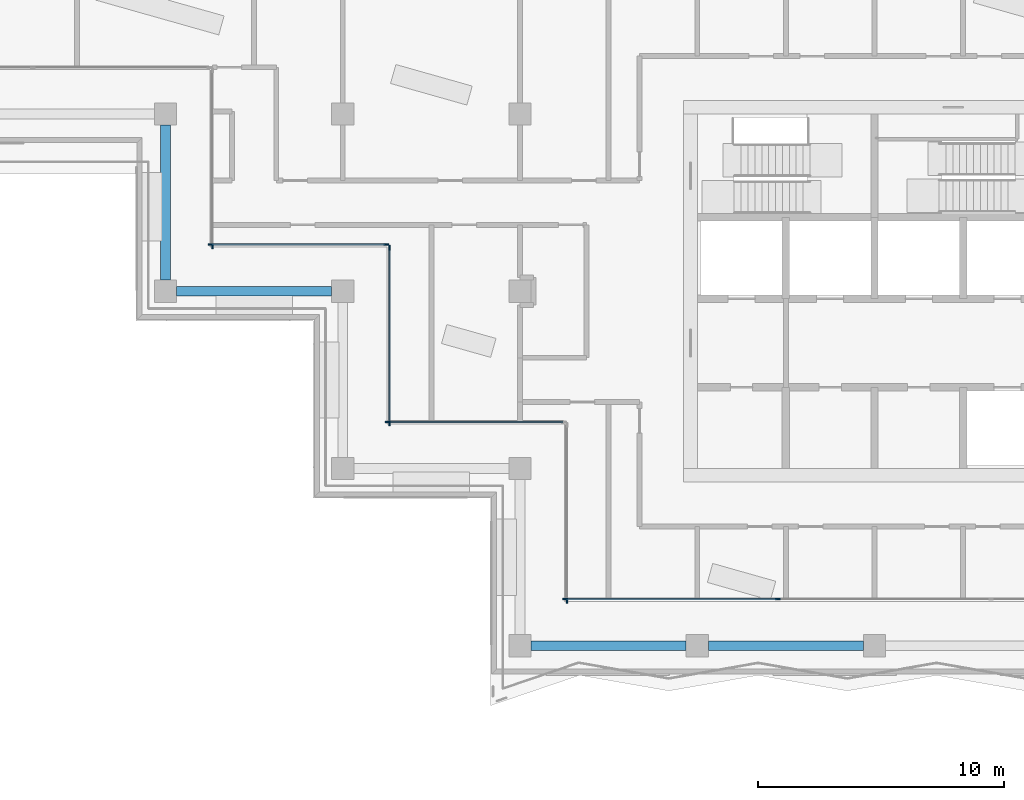
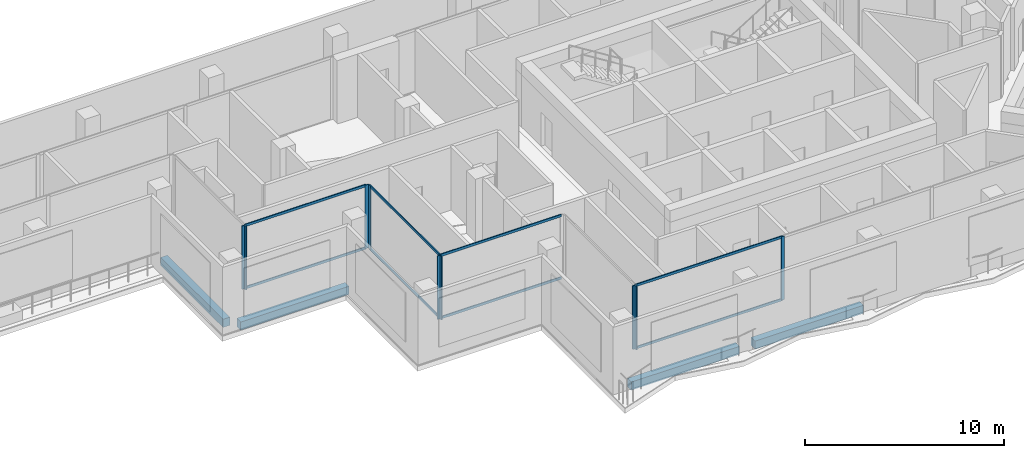
# One storey, part 2 of 19: 17 members, 4 beams, 6 elements without a shape of their own.
"""IFC4 building model written with IfcOpenShell, lengths in metres."""

from ifc_helpers import new_model, si_unit, direction, frame, origin, origin_2d, place, context, subcontext, project, spatial, rectangle, extrude, material, material_profile, profile_set, type_object, element, aggregate, save


model = new_model("IFC4")

# Units and contexts
model_context = context("Model", 3, precision=1e-05, world=origin(), true_north=direction((0.0, 1.0)))
body_context = subcontext(model_context, "Body", "Model", "MODEL_VIEW")
ifc_project = project(units=[si_unit("LENGTHUNIT", "METRE"), si_unit("AREAUNIT", "SQUARE_METRE"), si_unit("VOLUMEUNIT", "CUBIC_METRE"), si_unit("PLANEANGLEUNIT", "RADIAN"), si_unit("MASSUNIT", "GRAM", prefix="KILO")], contexts=[model_context])

# Site, building, storey
site_placement = place(None, origin())
site = spatial("IfcSite", under=ifc_project, at=site_placement, CompositionType="ELEMENT")
building_placement = place(site_placement, origin())
building = spatial("IfcBuilding", under=site, at=building_placement, Name="Windrow Commons", CompositionType="ELEMENT")
storey_placement = place(building_placement, frame((0.0, 0.0, 176.2)))
storey = spatial("IfcBuildingStorey", under=building, at=storey_placement, Name="L48", CompositionType="ELEMENT", Elevation=176.2)

# Curtain wall, member
ifc_material_1 = material(Name="Clear laminated glass in Aluminium 6063-T6 anodised frame", Category="aluminium")
curtain_wall_type = type_object("IfcCurtainWallType", Name="Curtain wall CW2H sky lounge upper", PredefinedType="USERDEFINED", material=ifc_material_1)
placement = place(storey_placement, origin())
curtain_wall_1 = element("IfcCurtainWall", 1, at=placement, inside=storey, type_object=curtain_wall_type, Name="Curtain wall CW2H L48 7", ObjectType="UNITISED", PredefinedType="USERDEFINED")
ifc_material_2 = material(Name="Aluminium 6063-T6", Category="aluminium")
ifc_material_profile_1 = material_profile(ifc_material_2, rectangle(XDim=0.06, YDim=0.2, at=origin_2d()))
ifc_profile_set_1 = profile_set([ifc_material_profile_1], Name="Aluminium 6063-T6")
member_type_1 = type_object("IfcMemberType", Name="CW2H mullion 60x200", PredefinedType="MULLION", material=ifc_profile_set_1)
member_1_placement = place(storey_placement, frame((37.9, 59.43, 0.0), z_axis=(0.0, 0.0, 1.0), x_axis=(1.0, 0.0, 0.0)))
member_1 = element("IfcMember", 2, at=member_1_placement, type_object=member_type_1, Name="CW2H mullion 2", PredefinedType="MULLION", context=body_context, shape_type="SweptSolid", body=[
    extrude(rectangle(XDim=0.06, YDim=0.2, at=origin_2d()), origin(), (0.0, 0.0, 1.0), 3.9),
])
aggregate(curtain_wall_1, [member_1])

# Curtain wall, members
curtain_wall_2 = element("IfcCurtainWall", 3, at=placement, inside=storey, type_object=curtain_wall_type, Name="Curtain wall CW2H L48 8", ObjectType="UNITISED", PredefinedType="USERDEFINED")
member_2_placement = place(storey_placement, frame((37.83, 59.5, 0.0), z_axis=(0.0, 0.0, 1.0), x_axis=(0.0, 1.0, 0.0)))
member_2 = element("IfcMember", 4, at=member_2_placement, type_object=member_type_1, Name="CW2H mullion 1", PredefinedType="MULLION", context=body_context, shape_type="SweptSolid", body=[
    extrude(rectangle(XDim=0.06, YDim=0.2, at=origin_2d()), origin(), (0.0, 0.0, 1.0), 3.9),
])
member_3_placement = place(storey_placement, frame((44.97, 59.5, 0.0), z_axis=(0.0, 0.0, 1.0), x_axis=(0.0, 1.0, 0.0)))
member_3 = element("IfcMember", 5, at=member_3_placement, type_object=member_type_1, Name="CW2H mullion 2", PredefinedType="MULLION", context=body_context, shape_type="SweptSolid", body=[
    extrude(rectangle(XDim=0.06, YDim=0.2, at=origin_2d()), origin(), (0.0, 0.0, 1.0), 3.9),
])

curtain_wall_3 = element("IfcCurtainWall", 6, at=placement, inside=storey, type_object=curtain_wall_type, Name="Curtain wall CW2H L48 9", ObjectType="UNITISED", PredefinedType="USERDEFINED")
member_4_placement = place(storey_placement, frame((45.1, 59.37, 0.0), z_axis=(0.0, 0.0, 1.0), x_axis=(1.0, 0.0, 0.0)))
member_4 = element("IfcMember", 7, at=member_4_placement, type_object=member_type_1, Name="CW2H mullion 1", PredefinedType="MULLION", context=body_context, shape_type="SweptSolid", body=[
    extrude(rectangle(XDim=0.06, YDim=0.2, at=origin_2d()), origin(), (0.0, 0.0, 1.0), 3.9),
])
member_5_placement = place(storey_placement, frame((45.1, 52.23, 0.0), z_axis=(0.0, 0.0, 1.0), x_axis=(1.0, 0.0, 0.0)))
member_5 = element("IfcMember", 8, at=member_5_placement, type_object=member_type_1, Name="CW2H mullion 2", PredefinedType="MULLION", context=body_context, shape_type="SweptSolid", body=[
    extrude(rectangle(XDim=0.06, YDim=0.2, at=origin_2d()), origin(), (0.0, 0.0, 1.0), 3.9),
])

# Curtain wall, member
curtain_wall_4 = element("IfcCurtainWall", 9, at=placement, inside=storey, type_object=curtain_wall_type, Name="Curtain wall CW2H L48 10", ObjectType="UNITISED", PredefinedType="USERDEFINED")
member_6_placement = place(storey_placement, frame((45.03, 52.3, 0.0), z_axis=(0.0, 0.0, 1.0), x_axis=(0.0, 1.0, 0.0)))
member_6 = element("IfcMember", 10, at=member_6_placement, type_object=member_type_1, Name="CW2H mullion 1", PredefinedType="MULLION", context=body_context, shape_type="SweptSolid", body=[
    extrude(rectangle(XDim=0.06, YDim=0.2, at=origin_2d()), origin(), (0.0, 0.0, 1.0), 3.9),
])

curtain_wall_5 = element("IfcCurtainWall", 11, at=placement, inside=storey, type_object=curtain_wall_type, Name="Curtain wall CW2H L48 11", ObjectType="UNITISED", PredefinedType="USERDEFINED")
member_7_placement = place(storey_placement, frame((52.3, 45.03, 0.0), z_axis=(0.0, 0.0, 1.0), x_axis=(1.0, 0.0, 0.0)))
member_7 = element("IfcMember", 12, at=member_7_placement, type_object=member_type_1, Name="CW2H mullion 2", PredefinedType="MULLION", context=body_context, shape_type="SweptSolid", body=[
    extrude(rectangle(XDim=0.06, YDim=0.2, at=origin_2d()), origin(), (0.0, 0.0, 1.0), 3.9),
])
aggregate(curtain_wall_5, [member_7])

# Curtain wall, members
curtain_wall_6 = element("IfcCurtainWall", 13, at=placement, inside=storey, type_object=curtain_wall_type, Name="Curtain wall CW2H L48 12", ObjectType="UNITISED", PredefinedType="USERDEFINED")
member_8_placement = place(storey_placement, frame((52.23, 45.1, 0.0), z_axis=(0.0, 0.0, 1.0), x_axis=(0.0, 1.0, 0.0)))
member_8 = element("IfcMember", 14, at=member_8_placement, type_object=member_type_1, Name="CW2H mullion 1", PredefinedType="MULLION", context=body_context, shape_type="SweptSolid", body=[
    extrude(rectangle(XDim=0.06, YDim=0.2, at=origin_2d()), origin(), (0.0, 0.0, 1.0), 3.9),
])
member_9_placement = place(storey_placement, frame((60.8662, 45.1, 0.0), z_axis=(0.0, 0.0, 1.0), x_axis=(0.0, 1.0, 0.0)))
member_9 = element("IfcMember", 15, at=member_9_placement, type_object=member_type_1, Name="CW2H mullion 2", PredefinedType="MULLION", context=body_context, shape_type="SweptSolid", body=[
    extrude(rectangle(XDim=0.06, YDim=0.2, at=origin_2d()), origin(), (0.0, 0.0, 1.0), 3.9),
])

# Member
ifc_material_3 = material(Name="Aluminium 6063-T6", Category="aluminium")
ifc_material_profile_2 = material_profile(ifc_material_3, rectangle(XDim=0.06, YDim=0.15, at=origin_2d()))
ifc_profile_set_2 = profile_set([ifc_material_profile_2], Name="Aluminium 6063-T6")
member_type_2 = type_object("IfcMemberType", Name="CW2H transom 60x150", PredefinedType="USERDEFINED", material=ifc_profile_set_2)
member_10_placement = place(storey_placement, frame((37.86, 59.5, 0.03), z_axis=(1.0, 0.0, 0.0), x_axis=(0.0, 1.0, 0.0)))
member_10 = element("IfcMember", 16, at=member_10_placement, type_object=member_type_2, Name="CW2H transom 1.1", ObjectType="TRANSOM", PredefinedType="USERDEFINED", context=body_context, shape_type="SweptSolid", body=[
    extrude(rectangle(XDim=0.06, YDim=0.15, at=origin_2d()), origin(), (0.0, 0.0, 1.0), 7.08),
])

member_11_placement = place(storey_placement, frame((37.86, 59.5, 3.87), z_axis=(1.0, 0.0, 0.0), x_axis=(0.0, 1.0, 0.0)))
member_11 = element("IfcMember", 17, at=member_11_placement, type_object=member_type_2, Name="CW2H transom 1.2", ObjectType="TRANSOM", PredefinedType="USERDEFINED", context=body_context, shape_type="SweptSolid", body=[
    extrude(rectangle(XDim=0.06, YDim=0.15, at=origin_2d()), origin(), (0.0, 0.0, 1.0), 7.08),
])

aggregate(curtain_wall_2, [member_2, member_3, member_10, member_11])

member_12_placement = place(storey_placement, frame((45.1, 59.34, 0.03), z_axis=(0.0, -1.0, 0.0), x_axis=(1.0, 0.0, 0.0)))
member_12 = element("IfcMember", 18, at=member_12_placement, type_object=member_type_2, Name="CW2H transom 1.1", ObjectType="TRANSOM", PredefinedType="USERDEFINED", context=body_context, shape_type="SweptSolid", body=[
    extrude(rectangle(XDim=0.06, YDim=0.15, at=origin_2d()), origin(), (0.0, 0.0, 1.0), 7.08),
])

member_13_placement = place(storey_placement, frame((45.1, 59.34, 3.87), z_axis=(0.0, -1.0, 0.0), x_axis=(1.0, 0.0, 0.0)))
member_13 = element("IfcMember", 19, at=member_13_placement, type_object=member_type_2, Name="CW2H transom 1.2", ObjectType="TRANSOM", PredefinedType="USERDEFINED", context=body_context, shape_type="SweptSolid", body=[
    extrude(rectangle(XDim=0.06, YDim=0.15, at=origin_2d()), origin(), (0.0, 0.0, 1.0), 7.08),
])

aggregate(curtain_wall_3, [member_4, member_5, member_12, member_13])

member_14_placement = place(storey_placement, frame((45.06, 52.3, 0.03), z_axis=(1.0, 0.0, 0.0), x_axis=(0.0, 1.0, 0.0)))
member_14 = element("IfcMember", 20, at=member_14_placement, type_object=member_type_2, Name="CW2H transom 1.1", ObjectType="TRANSOM", PredefinedType="USERDEFINED", context=body_context, shape_type="SweptSolid", body=[
    extrude(rectangle(XDim=0.06, YDim=0.15, at=origin_2d()), origin(), (0.0, 0.0, 1.0), 7.08),
])

member_15_placement = place(storey_placement, frame((45.06, 52.3, 3.87), z_axis=(1.0, 0.0, 0.0), x_axis=(0.0, 1.0, 0.0)))
member_15 = element("IfcMember", 21, at=member_15_placement, type_object=member_type_2, Name="CW2H transom 1.2", ObjectType="TRANSOM", PredefinedType="USERDEFINED", context=body_context, shape_type="SweptSolid", body=[
    extrude(rectangle(XDim=0.06, YDim=0.15, at=origin_2d()), origin(), (0.0, 0.0, 1.0), 7.08),
])

aggregate(curtain_wall_4, [member_6, member_14, member_15])

member_16_placement = place(storey_placement, frame((52.26, 45.1, 0.03), z_axis=(1.0, 0.0, 0.0), x_axis=(0.0, 1.0, 0.0)))
member_16 = element("IfcMember", 22, at=member_16_placement, type_object=member_type_2, Name="CW2H transom 1.1", ObjectType="TRANSOM", PredefinedType="USERDEFINED", context=body_context, shape_type="SweptSolid", body=[
    extrude(rectangle(XDim=0.06, YDim=0.15, at=origin_2d()), origin(), (0.0, 0.0, 1.0), 8.5762),
])

member_17_placement = place(storey_placement, frame((52.26, 45.1, 3.87), z_axis=(1.0, 0.0, 0.0), x_axis=(0.0, 1.0, 0.0)))
member_17 = element("IfcMember", 23, at=member_17_placement, type_object=member_type_2, Name="CW2H transom 1.2", ObjectType="TRANSOM", PredefinedType="USERDEFINED", context=body_context, shape_type="SweptSolid", body=[
    extrude(rectangle(XDim=0.06, YDim=0.15, at=origin_2d()), origin(), (0.0, 0.0, 1.0), 8.5762),
])

aggregate(curtain_wall_6, [member_8, member_9, member_16, member_17])

# Beams
ifc_material_4 = material(Name="Concrete C50/60", Category="concrete")
ifc_material_profile_3 = material_profile(ifc_material_4, rectangle(XDim=0.4, YDim=0.5, at=origin_2d()))
ifc_profile_set_3 = profile_set([ifc_material_profile_3], Name="Concrete C50/60")
beam_type = type_object("IfcBeamType", Name="RC EDGE BEAM 400x500 C50/60", PredefinedType="SPANDREL", material=ifc_profile_set_3)
for number, where, z_axis, x_axis, name in (
    (24, (57.15, 43.2, -0.55), (-1.0, 0.0, 0.0), (0.0, -1.0, 0.0), "Edge beam L48 001"),
    (25, (42.75, 57.6, -0.55), (-1.0, 0.0, 0.0), (0.0, -1.0, 0.0), "Edge beam L48 005"),
    (26, (36.0, 58.05, -0.55), (0.0, 1.0, 0.0), (-1.0, 0.0, 0.0), "Edge beam L48 006"),
    (27, (64.35, 43.2, -0.55), (-1.0, 0.0, 0.0), (0.0, -1.0, 0.0), "Edge beam L48 027"),
):
    element("IfcBeam", number, at=place(storey_placement, frame(where, z_axis=z_axis, x_axis=x_axis)), inside=storey, type_object=beam_type, Name=name, PredefinedType="SPANDREL", context=body_context, shape_type="SweptSolid", body=[
        extrude(rectangle(XDim=0.4, YDim=0.5, at=origin_2d()), origin(), (0.0, 0.0, 1.0), 6.3),
    ])

save(model, "model.ifc")
